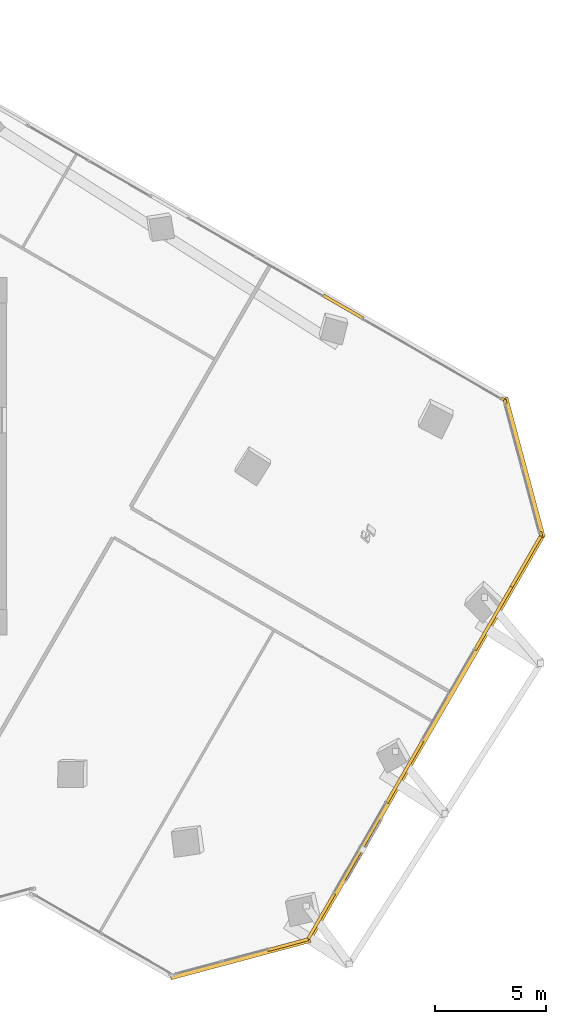
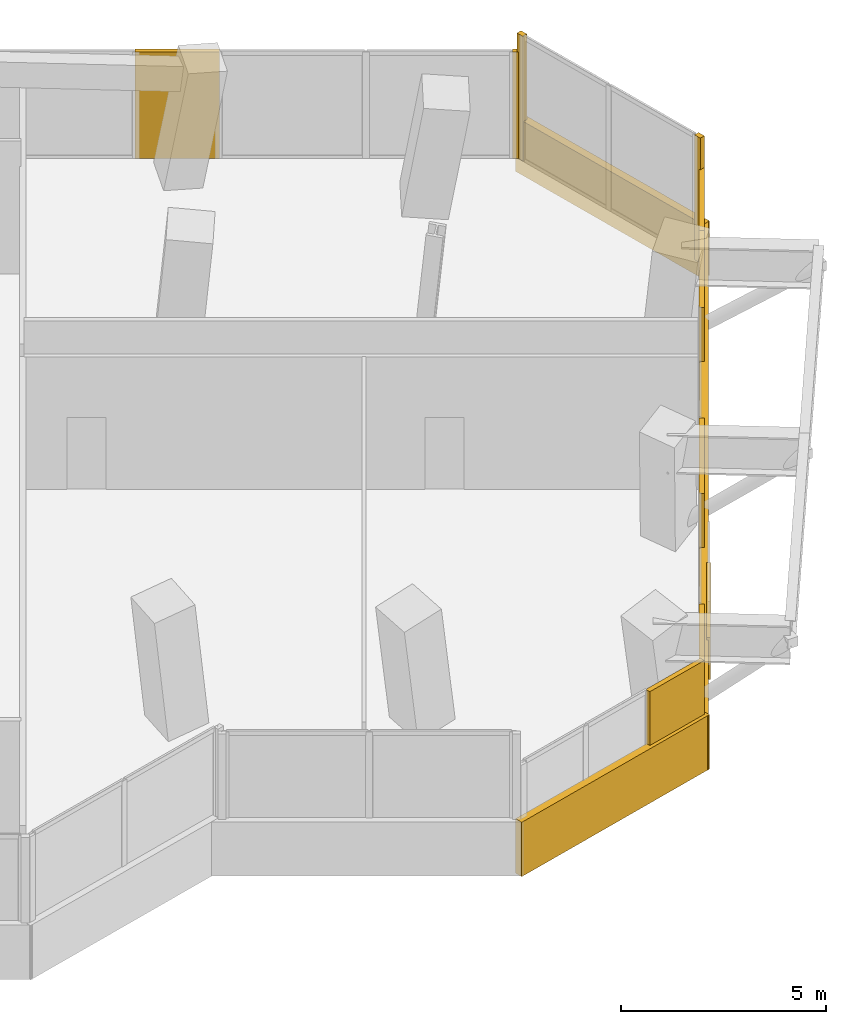
# One storey, part 21 of 22: 12 coverings, 1 shading device.
"""IFC4 building model written with IfcOpenShell, lengths in metres."""

from ifc_helpers import new_model, si_unit, direction, frame, origin, origin_2d, place, context, subcontext, project, spatial, rectangle, extrude, source, transform, mapped, material, layer, layer_set, type_object, element, save


model = new_model("IFC4")

# Units and contexts
model_context = context("Model", 3, precision=1e-05, world=origin(), true_north=direction((0.0, 1.0)))
body_context = subcontext(model_context, "Body", "Model", "MODEL_VIEW")
ifc_project = project(units=[si_unit("LENGTHUNIT", "METRE"), si_unit("AREAUNIT", "SQUARE_METRE"), si_unit("VOLUMEUNIT", "CUBIC_METRE"), si_unit("PLANEANGLEUNIT", "RADIAN"), si_unit("MASSUNIT", "GRAM", prefix="KILO")], contexts=[model_context])

# Site, building, storey
site_placement = place(None, origin())
site = spatial("IfcSite", under=ifc_project, at=site_placement, CompositionType="ELEMENT")
building_placement = place(site_placement, origin())
building = spatial("IfcBuilding", under=site, at=building_placement, Name="Torre Montelarca", CompositionType="ELEMENT")
storey_placement = place(building_placement, frame((0.0, 0.0, 183.39990234375)))
storey = spatial("IfcBuildingStorey", under=building, at=storey_placement, Name="L41", CompositionType="ELEMENT", Elevation=183.39990234375)

# Coverings
ifc_material_1 = material(Name="Bush-hammered warm white precast concrete C45/55", Category="concrete")
ifc_layer_1 = layer(ifc_material_1, 0.139892578125, Name="Bush-hammered warm white precast concrete C45/55", Category="concrete")
ifc_layer_set_1 = layer_set([ifc_layer_1], Name="Bush-hammered warm white precast concrete C45/55")
covering_type = type_object("IfcCoveringType", Name="COV-TRAY-CLAD", PredefinedType="CLADDING", material=ifc_layer_set_1)
shared_shape_1 = source(origin(), body_context, "Body", "SweptSolid", [
    extrude(rectangle(XDim=6.48388671875, YDim=0.219970703125, at=origin_2d()), origin(), (0.0, 0.0, 1.0), 1.6201171875),
])
for number, where, z_axis, x_axis, name in (
    (1, (37.497802734375, 9.451416015625, -0.449951171875), (0.0, 0.0, 1.0), (0.965922212399, 0.258832531946, 0.0), "L41 Architectural White Spandrel Tray Band TRYBOT-05"),
    (2, (50.2265625, 31.498291015625, -0.449951171875), (0.0, 0.0, 1.0), (-0.258817359244, 0.965926278012, 0.0), "L41 Architectural White Spandrel Tray Band TRYBOT-07"),
):
    element("IfcCovering", number, at=place(storey_placement, frame(where, z_axis=z_axis, x_axis=x_axis)), inside=storey, type_object=covering_type, Name=name, PredefinedType="CLADDING", context=body_context, shape_type="MappedRepresentation", body=[
        mapped(shared_shape_1, transform((0.0, 0.0, 0.0), scale=1.0)),
    ])
shared_shape_2 = source(origin(), body_context, "Body", "SweptSolid", [
    extrude(rectangle(XDim=21.1201171875, YDim=0.219970703125, at=origin_2d()), origin(), (0.0, 0.0, 1.0), 1.6201171875),
])
covering_1_placement = place(storey_placement, frame((45.802978515625, 19.354248046875, -0.449951171875), z_axis=(0.0, 0.0, 1.0), x_axis=(0.5, 0.866025403784, 0.0)))
element("IfcCovering", 3, at=covering_1_placement, inside=storey, type_object=covering_type, Name="L41 Architectural White Spandrel Tray Band TRYBOT-06", PredefinedType="CLADDING", context=body_context, shape_type="MappedRepresentation", body=[
    mapped(shared_shape_2, transform((0.0, 0.0, 0.0), scale=1.0)),
])

# Shading device
ifc_material_2 = material(Name="Architectural perforated terracotta ceramic", Category="masonry")
ifc_layer_2 = layer(ifc_material_2, 0.080078125, Name="Architectural perforated terracotta ceramic", Category="masonry")
ifc_layer_set_2 = layer_set([ifc_layer_2], Name="Architectural perforated terracotta ceramic")
shading_device_type = type_object("IfcShadingDeviceType", Name="SHD-JALOUSIE-1", PredefinedType="JALOUSIE", material=ifc_layer_set_2)
shared_shape_3 = source(origin(), body_context, "Body", "SweptSolid", [
    extrude(rectangle(XDim=3.199951171875, YDim=0.10009765625, at=origin_2d()), origin(), (0.0, 0.0, 1.0), 1.25),
])
shading_device_placement = place(storey_placement, frame((43.0283203125, 14.327880859375, -0.0048828125), z_axis=(0.0, 0.0, 1.0), x_axis=(0.5, 0.866025403784, 0.0)))
element("IfcShadingDevice", 4, at=shading_device_placement, inside=storey, type_object=shading_device_type, Name="L41 Facade Solar Shading Device E6", PredefinedType="JALOUSIE", context=body_context, shape_type="MappedRepresentation", body=[
    mapped(shared_shape_3, transform((0.0, 0.0, 0.0), scale=1.0)),
])

# Coverings
shared_shape_4 = source(origin(), body_context, "Body", "SweptSolid", [
    extrude(rectangle(XDim=0.199951171875, YDim=0.139892578125, at=origin_2d()), origin(), (0.0, 0.0, 1.0), 3.719970703125),
])
for number, where, z_axis, x_axis, name in (
    (5, (50.962158203125, 28.52099609375, 0.0), (0.0, 0.0, 1.0), (-0.258819045103, 0.965925826289, 0.0), "L41 Architectural Column Pier Cladding E07-1"),
    (6, (49.375, 34.4443359375, 0.0), (0.0, 0.0, 1.0), (-0.258819045103, 0.965925826289, 0.0), "L41 Architectural Column Pier Cladding E07-2"),
):
    element("IfcCovering", number, at=place(storey_placement, frame(where, z_axis=z_axis, x_axis=x_axis)), inside=storey, type_object=covering_type, Name=name, PredefinedType="CLADDING", context=body_context, shape_type="MappedRepresentation", body=[
        mapped(shared_shape_4, transform((0.0, 0.0, 0.0), scale=1.0)),
    ])
shared_shape_5 = source(origin(), body_context, "Body", "SweptSolid", [
    extrude(rectangle(XDim=0.199951171875, YDim=0.139892578125, at=origin_2d()), origin(), (0.0, 0.0, 1.0), 3.175048828125),
])
covering_2_placement = place(storey_placement, frame((49.28662109375, 34.5595703125, 0.0), z_axis=(0.0, 0.0, 1.0), x_axis=(-0.866025403784, 0.5, 0.0)))
element("IfcCovering", 7, at=covering_2_placement, inside=storey, type_object=covering_type, Name="L41 Architectural Column Pier Cladding E08-1", PredefinedType="CLADDING", context=body_context, shape_type="MappedRepresentation", body=[
    mapped(shared_shape_5, transform((0.0, 0.0, 0.0), scale=1.0)),
])
shared_shape_6 = source(origin(), body_context, "Body", "SweptSolid", [
    extrude(rectangle(XDim=1.8828125, YDim=0.139892578125, at=origin_2d()), origin(), (0.0, 0.0, 1.0), 2.77490234375),
])
covering_3_placement = place(storey_placement, frame((39.631103515625, 10.085205078125, 0.000244140625), z_axis=(0.0, 0.0, 1.0), x_axis=(0.96592176065, 0.258834217798, 0.0)))
element("IfcCovering", 8, at=covering_3_placement, inside=storey, type_object=covering_type, Name="L41 Architectural Column Pier Cladding E05-2", PredefinedType="CLADDING", context=body_context, shape_type="MappedRepresentation", body=[
    mapped(shared_shape_6, transform((0.0, 0.0, 0.0), scale=1.0)),
])
shared_shape_7 = source(origin(), body_context, "Body", "SweptSolid", [
    extrude(rectangle(XDim=2.38916015625, YDim=0.139892578125, at=origin_2d()), origin(), (0.0, 0.0, 1.0), 2.77490234375),
])
covering_4_placement = place(storey_placement, frame((41.106201171875, 11.339111328125, 0.000244140625), z_axis=(0.0, 0.0, 1.0), x_axis=(0.500001511499, 0.866024531118, 0.0)))
element("IfcCovering", 9, at=covering_4_placement, inside=storey, type_object=covering_type, Name="L41 Architectural Column Pier Cladding E06-1", PredefinedType="CLADDING", context=body_context, shape_type="MappedRepresentation", body=[
    mapped(shared_shape_7, transform((0.0, 0.0, 0.0), scale=1.0)),
])
shared_shape_8 = source(origin(), body_context, "Body", "SweptSolid", [
    extrude(rectangle(XDim=3.2158203125, YDim=0.139892578125, at=origin_2d()), origin(), (0.0, 0.0, 1.0), 2.77490234375),
])
covering_5_placement = place(storey_placement, frame((44.8623046875, 17.844482421875, 0.000244140625), z_axis=(0.0, 0.0, 1.0), x_axis=(0.500001511499, 0.866024531118, 0.0)))
element("IfcCovering", 10, at=covering_5_placement, inside=storey, type_object=covering_type, Name="L41 Architectural Column Pier Cladding E06-2", PredefinedType="CLADDING", context=body_context, shape_type="MappedRepresentation", body=[
    mapped(shared_shape_8, transform((0.0, 0.0, 0.0), scale=1.0)),
])
shared_shape_9 = source(origin(), body_context, "Body", "SweptSolid", [
    extrude(rectangle(XDim=3.37353515625, YDim=0.139892578125, at=origin_2d()), origin(), (0.0, 0.0, 1.0), 2.77490234375),
])
covering_6_placement = place(storey_placement, frame((48.8603515625, 24.769287109375, 0.000244140625), z_axis=(0.0, 0.0, 1.0), x_axis=(0.500001511499, 0.866024531118, 0.0)))
element("IfcCovering", 11, at=covering_6_placement, inside=storey, type_object=covering_type, Name="L41 Architectural Column Pier Cladding E06-3", PredefinedType="CLADDING", context=body_context, shape_type="MappedRepresentation", body=[
    mapped(shared_shape_9, transform((0.0, 0.0, 0.0), scale=1.0)),
])
shared_shape_10 = source(origin(), body_context, "Body", "SweptSolid", [
    extrude(rectangle(XDim=2.67919921875, YDim=0.139892578125, at=origin_2d()), origin(), (0.0, 0.0, 1.0), 2.77490234375),
])
covering_7_placement = place(storey_placement, frame((50.323486328125, 27.3037109375, 0.000244140625), z_axis=(0.0, 0.0, 1.0), x_axis=(0.500001511499, 0.866024531118, 0.0)))
element("IfcCovering", 12, at=covering_7_placement, inside=storey, type_object=covering_type, Name="L41 Architectural Column Pier Cladding E06-4", PredefinedType="CLADDING", context=body_context, shape_type="MappedRepresentation", body=[
    mapped(shared_shape_10, transform((0.0, 0.0, 0.0), scale=1.0)),
])
shared_shape_11 = source(origin(), body_context, "Body", "SweptSolid", [
    extrude(rectangle(XDim=2.06005859375, YDim=0.139892578125, at=origin_2d()), origin(), (0.0, 0.0, 1.0), 3.175048828125),
])
covering_8_placement = place(storey_placement, frame((42.1123046875, 38.70166015625, 0.0), z_axis=(0.0, 0.0, 1.0), x_axis=(-0.866025403784, 0.5, 0.0)))
element("IfcCovering", 13, at=covering_8_placement, inside=storey, type_object=covering_type, Name="L41 Architectural Column Pier Cladding E08-2", PredefinedType="CLADDING", context=body_context, shape_type="MappedRepresentation", body=[
    mapped(shared_shape_11, transform((0.0, 0.0, 0.0), scale=1.0)),
])

save(model, "model.ifc")
